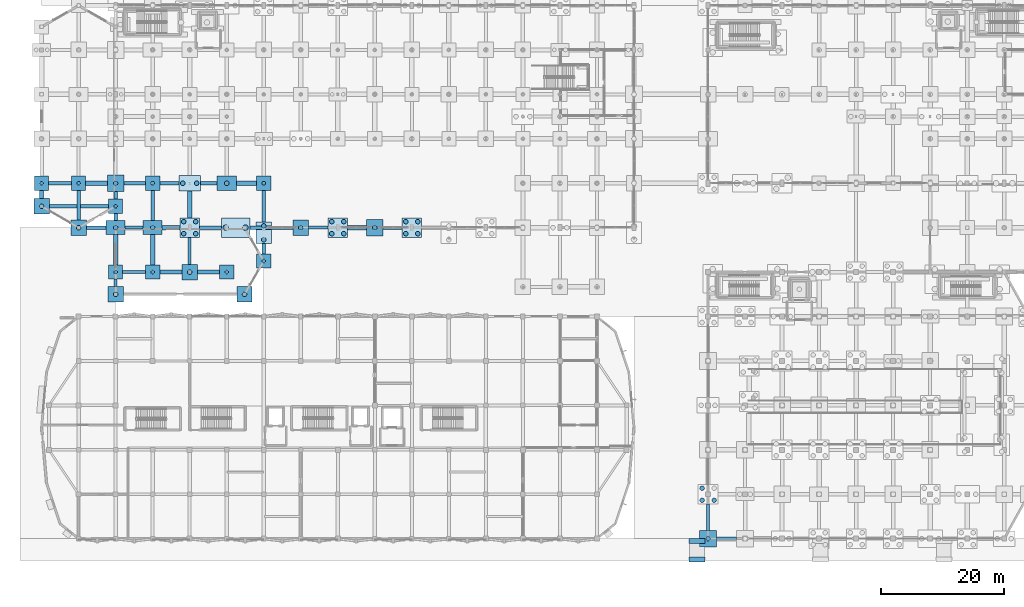
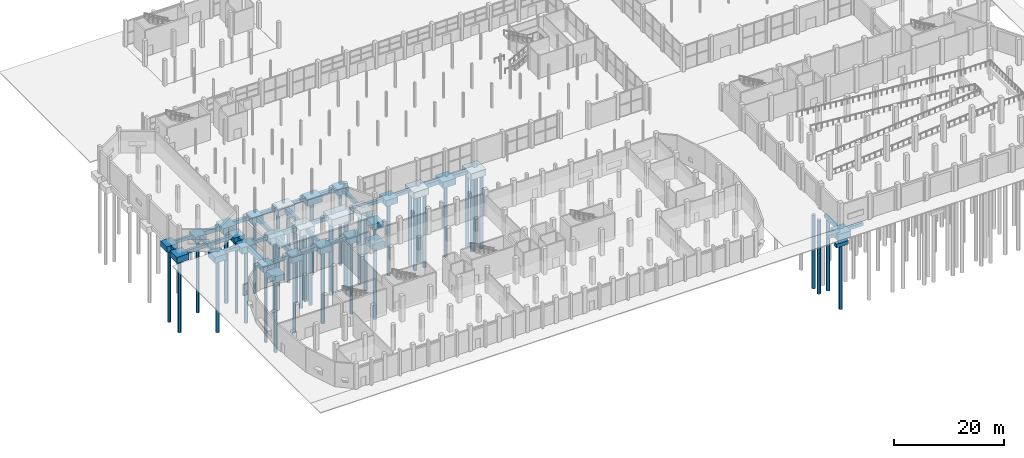
# One storey, part 1 of 103: 61 footings, 42 piles.
"""IFC4 building model written with IfcOpenShell, lengths in metres."""

import ifcopenshell
import ifcopenshell.guid

model = None  # the IFC model being written
_history = None  # IfcOwnerHistory: only IFC2X3 demands one
_inside = {}  # id of a spatial element -> (the spatial element, [elements in it])
_under = {}  # id of a project, library or spatial element -> (it, [spatial elements below it])
_declared = {}  # id of a project -> (the project, [libraries it declares])
_typed = {}  # id of a type object -> (the type object, [elements of that type])
_made_of = {}  # id of a material, layer set ... -> (it, [elements and type objects made of it])


def new_model(schema):
    """Start an empty IFC model of exactly this schema.

    Asked for "IFC4X3", IfcOpenShell would pick the latest addendum, in which some entities
    have other attributes; the version numbers below select the first issue.
    IFC2X3 requires an IfcOwnerHistory on every rooted entity: one is made here for all.
    """
    global model, _history
    if schema == "IFC4X3":
        model = ifcopenshell.file(schema_version=(4, 3, 0, 0))
    else:
        model = ifcopenshell.file(schema=schema)
    _inside.clear()
    _under.clear()
    _declared.clear()
    _typed.clear()
    _made_of.clear()
    _history = None
    if model.schema == "IFC2X3":
        org = make("IfcOrganization", Name="unknown")
        user = make(
            "IfcPersonAndOrganization",
            ThePerson=make("IfcPerson", FamilyName="unknown"),
            TheOrganization=org,
        )
        app = make(
            "IfcApplication",
            ApplicationDeveloper=org,
            Version="unknown",
            ApplicationFullName="unknown",
            ApplicationIdentifier="unknown",
        )
        _history = make(
            "IfcOwnerHistory",
            OwningUser=user,
            OwningApplication=app,
            ChangeAction="ADDED",
            CreationDate=0,
        )
    return model


def make(cls, **values):
    """One entity of the class cls with the attributes given. An attribute that is None is left unset."""
    return model.create_entity(
        cls, **{name: value for name, value in values.items() if value is not None}
    )


def rooted(cls, **values):
    """An entity with a GlobalId (a new one), such as an element, a storey or a relation."""
    return make(cls, GlobalId=ifcopenshell.guid.new(), OwnerHistory=_history, **values)


def si_unit(unit_type, name, prefix=None):
    """IfcSIUnit, for example si_unit("LENGTHUNIT", "METRE", prefix="MILLI")."""
    return make("IfcSIUnit", UnitType=unit_type, Prefix=prefix, Name=name)


def assignment(units):
    """IfcUnitAssignment: the units of a project."""
    return None if units is None else make("IfcUnitAssignment", Units=units)


def point(xyz):
    """IfcCartesianPoint."""
    return None if xyz is None else make("IfcCartesianPoint", Coordinates=xyz)


def direction(xyz):
    """IfcDirection."""
    return None if xyz is None else make("IfcDirection", DirectionRatios=xyz)


def frame(location, z_axis=None, x_axis=None):
    """IfcAxis2Placement3D, a coordinate frame: its origin and axes. An axis left out is left unset."""
    return make(
        "IfcAxis2Placement3D",
        Location=point(location),
        Axis=direction(z_axis),
        RefDirection=direction(x_axis),
    )


def frame_2d(location, x_axis=None):
    """IfcAxis2Placement2D, a coordinate frame in the plane: its origin and x axis."""
    return make(
        "IfcAxis2Placement2D", Location=point(location), RefDirection=direction(x_axis)
    )


def origin():
    """The frame at (0, 0, 0) with its axes left unset."""
    return frame((0.0, 0.0, 0.0))


def origin_2d():
    """The frame at (0, 0) in the plane with its x axis left unset."""
    return frame_2d((0.0, 0.0))


def place(relative_to, where):
    """IfcLocalPlacement: puts the frame where relative to a parent placement (None: the world)."""
    return make(
        "IfcLocalPlacement", PlacementRelTo=relative_to, RelativePlacement=where
    )


def context(
    kind, dimensions, precision=None, world=None, true_north=None, identifier=None
):
    """IfcGeometricRepresentationContext, for example the 3D "Model" context."""
    return make(
        "IfcGeometricRepresentationContext",
        ContextIdentifier=identifier,
        ContextType=kind,
        CoordinateSpaceDimension=dimensions,
        Precision=precision,
        WorldCoordinateSystem=world,
        TrueNorth=true_north,
    )


def subcontext(parent, identifier, kind, view, scale=None):
    """IfcGeometricRepresentationSubContext, for example "Body" below "Model"."""
    return make(
        "IfcGeometricRepresentationSubContext",
        ContextIdentifier=identifier,
        ContextType=kind,
        ParentContext=parent,
        TargetScale=scale,
        TargetView=view,
    )


def project(units=None, contexts=None):
    """IfcProject with its units and contexts."""
    return rooted(
        "IfcProject",
        Name="project",
        RepresentationContexts=contexts,
        UnitsInContext=assignment(units),
    )


def spatial(cls, under=None, at=None, **own):
    """A site, building, storey or space (cls), placed at a placement, below another one or the project."""
    s = rooted(cls, ObjectPlacement=at, **own)
    if under is not None:
        _under.setdefault(under.id(), (under, []))[1].append(s)
    return s


def profile(cls, at=None, kind="AREA", **sizes):
    """A parametric profile (cls). Its sizes go by their IFC names, for example OverallWidth=200.0."""
    return make(cls, ProfileType=kind, Position=at, **sizes)


def rectangle(**sizes):
    """IfcRectangleProfileDef."""
    return profile("IfcRectangleProfileDef", **sizes)


def circle(**sizes):
    """IfcCircleProfileDef."""
    return profile("IfcCircleProfileDef", **sizes)


def extrude(swept, where, along, depth):
    """IfcExtrudedAreaSolid: the profile swept, set in the frame where, extruded along a direction by depth."""
    return make(
        "IfcExtrudedAreaSolid",
        SweptArea=swept,
        Position=where,
        ExtrudedDirection=direction(along),
        Depth=depth,
    )


def shape(context_of_items, identifier, shape_type, items):
    """IfcShapeRepresentation: the items that make up one representation, for example the "Body"."""
    return make(
        "IfcShapeRepresentation",
        ContextOfItems=context_of_items,
        RepresentationIdentifier=identifier,
        RepresentationType=shape_type,
        Items=items,
    )


def material(Name=None, Category=None):
    """IfcMaterial."""
    return make("IfcMaterial", Name=Name, Category=Category)


def material_profile(
    of_material, cross_section, Name=None, Category=None, Priority=None
):
    """IfcMaterialProfile: a cross section and its material."""
    return make(
        "IfcMaterialProfile",
        Name=Name,
        Material=of_material,
        Profile=cross_section,
        Priority=Priority,
        Category=Category,
    )


def profile_set(profiles, Name=None, composite=None):
    """IfcMaterialProfileSet."""
    return make(
        "IfcMaterialProfileSet",
        Name=Name,
        MaterialProfiles=profiles,
        CompositeProfile=composite,
    )


def made_of(thing, what):
    """Note that an element or type object is made of a material, layer set ...; save() writes the relation."""
    if what is not None:
        _made_of.setdefault(what.id(), (what, []))[1].append(thing)
    return thing


def type_object(cls, material=None, **own):
    """A type object (cls), such as IfcWallType, which elements share."""
    return made_of(rooted(cls, **own), material)


def element(
    cls,
    number,
    at=None,
    inside=None,
    cuts=None,
    type_object=None,
    material=None,
    context=None,
    identifier="Body",
    shape_type=None,
    held_by="IfcProductDefinitionShape",
    body=None,
    shapes=None,
    **own,
):
    """One element of the class cls, such as IfcWall. Its Tag is "e" and its number.

    at: its placement. inside: the storey or other place that contains it. cuts: it is an
    opening in that element (IfcRelVoidsElement). A single representation is given by context,
    identifier, shape_type and body (its items); several are given by shapes. held_by: the class
    of the entity that holds the representations. save() writes the other relations.
    """
    e = rooted(cls, Tag="e%d" % number, ObjectPlacement=at, **own)
    if body is not None:
        shapes = [shape(context, identifier, shape_type, body)]
    if shapes is not None:
        e.Representation = make(held_by, Representations=shapes)
    if inside is not None:
        _inside.setdefault(inside.id(), (inside, []))[1].append(e)
    if cuts is not None:
        rooted(
            "IfcRelVoidsElement", RelatingBuildingElement=cuts, RelatedOpeningElement=e
        )
    if type_object is not None:
        _typed.setdefault(type_object.id(), (type_object, []))[1].append(e)
    return made_of(e, material)


def aggregate(whole, parts):
    """IfcRelAggregates: a whole, such as a stair, and the parts it consists of."""
    return rooted("IfcRelAggregates", RelatingObject=whole, RelatedObjects=parts)


def save(model, path):
    """Write the relations noted so far, then the file.

    IfcRelAggregates (storeys below a building ...), IfcRelContainedInSpatialStructure (elements
    in a storey), IfcRelDefinesByType, IfcRelAssociatesMaterial and IfcRelDeclares: one each for
    every whole, place, type object, material and project.
    """
    for whole, parts in _under.values():
        aggregate(whole, parts)
    for where, things in _inside.values():
        rooted(
            "IfcRelContainedInSpatialStructure",
            RelatedElements=things,
            RelatingStructure=where,
        )
    for kind, things in _typed.values():
        rooted("IfcRelDefinesByType", RelatedObjects=things, RelatingType=kind)
    for what, things in _made_of.values():
        rooted("IfcRelAssociatesMaterial", RelatedObjects=things, RelatingMaterial=what)
    for by, libraries in _declared.values():
        rooted("IfcRelDeclares", RelatingContext=by, RelatedDefinitions=libraries)
    model.write(path)


model = new_model("IFC4")

# Units and contexts
model_context = context("Model", 3, precision=1e-05, world=origin(), true_north=direction((0.0, 1.0)))
body_context = subcontext(model_context, "Body", "Model", "MODEL_VIEW")
ifc_project = project(units=[si_unit("LENGTHUNIT", "METRE"), si_unit("AREAUNIT", "SQUARE_METRE"), si_unit("VOLUMEUNIT", "CUBIC_METRE"), si_unit("PLANEANGLEUNIT", "RADIAN"), si_unit("MASSUNIT", "GRAM", prefix="KILO")], contexts=[model_context])

# Site, building, storey
site_placement = place(None, origin())
site = spatial("IfcSite", under=ifc_project, at=site_placement, CompositionType="ELEMENT")
building_placement = place(site_placement, origin())
building = spatial("IfcBuilding", under=site, at=building_placement, Name="Dunvalen Ferry Terminal", CompositionType="ELEMENT")
storey_placement = place(building_placement, origin())
storey = spatial("IfcBuildingStorey", under=building, at=storey_placement, Name="L00", CompositionType="ELEMENT", Elevation=0.0)

# Footings
ifc_material = material(Name="Concrete C40/50", Category="concrete")
ifc_material_profile_1 = material_profile(ifc_material, rectangle(XDim=0.5, YDim=0.699951171875, at=origin_2d()), Name="Concrete C40/50")
ifc_profile_set_1 = profile_set([ifc_material_profile_1], Name="Concrete C40/50")
footing_type_1 = type_object("IfcFootingType", Name="STR-GB-500x700", PredefinedType="FOOTING_BEAM", material=ifc_profile_set_1)
footing_1_placement = place(storey_placement, frame((109.35009765625, 0.0, -0.669921875), z_axis=(1.0, 0.0, 0.0), x_axis=(0.0, 1.0, 0.0)))
element("IfcFooting", 1, at=footing_1_placement, inside=storey, type_object=footing_type_1, Name="L00 Ground Beam X-131", PredefinedType="FOOTING_BEAM", context=body_context, shape_type="SweptSolid", body=[
    extrude(rectangle(XDim=0.5, YDim=0.699951171875, at=origin_2d()), origin(), (0.0, 0.0, 1.0), 3.2998046875),
])
footing_2_placement = place(storey_placement, frame((13.14990234375, 43.199951171875, -0.669921875), z_axis=(1.0, 0.0, 0.0), x_axis=(0.0, 1.0, 0.0)))
element("IfcFooting", 2, at=footing_2_placement, inside=storey, type_object=footing_type_1, Name="L00 Ground Beam X-183", PredefinedType="FOOTING_BEAM", context=body_context, shape_type="SweptSolid", body=[
    extrude(rectangle(XDim=0.5, YDim=0.699951171875, at=origin_2d()), origin(), (0.0, 0.0, 1.0), 3.7001953125),
])
footing_3_placement = place(storey_placement, frame((13.550048828125, 50.39990234375, -0.669921875), z_axis=(1.0, 0.0, 0.0), x_axis=(0.0, 1.0, 0.0)))
element("IfcFooting", 3, at=footing_3_placement, inside=storey, type_object=footing_type_1, Name="L00 Ground Beam X-191", PredefinedType="FOOTING_BEAM", context=body_context, shape_type="SweptSolid", body=[
    extrude(rectangle(XDim=0.5, YDim=0.699951171875, at=origin_2d()), origin(), (0.0, 0.0, 1.0), 2.89990234375),
])
footing_4_placement = place(storey_placement, frame((43.25, 50.39990234375, -0.669921875), z_axis=(1.0, 0.0, 0.0), x_axis=(0.0, 1.0, 0.0)))
element("IfcFooting", 4, at=footing_4_placement, inside=storey, type_object=footing_type_1, Name="L00 Ground Beam X-195", PredefinedType="FOOTING_BEAM", context=body_context, shape_type="SweptSolid", body=[
    extrude(rectangle(XDim=0.5, YDim=0.699951171875, at=origin_2d()), origin(), (0.0, 0.0, 1.0), 3.14990234375),
])
footing_5_placement = place(storey_placement, frame((1.14990234375, 57.60009765625, -0.669921875), z_axis=(1.0, 0.0, 0.0), x_axis=(0.0, 1.0, 0.0)))
element("IfcFooting", 5, at=footing_5_placement, inside=storey, type_object=footing_type_1, Name="L00 Ground Beam X-207", PredefinedType="FOOTING_BEAM", context=body_context, shape_type="SweptSolid", body=[
    extrude(rectangle(XDim=0.5, YDim=0.699951171875, at=origin_2d()), origin(), (0.0, 0.0, 1.0), 3.7001953125),
])
footing_6_placement = place(storey_placement, frame((25.75, 57.60009765625, -0.669921875), z_axis=(1.0, 0.0, 0.0), x_axis=(0.0, 1.0, 0.0)))
element("IfcFooting", 6, at=footing_6_placement, inside=storey, type_object=footing_type_1, Name="L00 Ground Beam X-211", PredefinedType="FOOTING_BEAM", context=body_context, shape_type="SweptSolid", body=[
    extrude(rectangle(XDim=0.5, YDim=0.699951171875, at=origin_2d()), origin(), (0.0, 0.0, 1.0), 2.699951171875),
])
footing_7_placement = place(storey_placement, frame((12.0, 40.85009765625, -0.669921875), z_axis=(0.0, 1.0, 0.0), x_axis=(-1.0, 0.0, 0.0)))
element("IfcFooting", 7, at=footing_7_placement, inside=storey, type_object=footing_type_1, Name="L00 Ground Beam Y-367", PredefinedType="FOOTING_BEAM", context=body_context, shape_type="SweptSolid", body=[
    extrude(rectangle(XDim=0.5, YDim=0.699951171875, at=origin_2d()), origin(), (0.0, 0.0, 1.0), 1.199951171875),
])
footing_8_placement = place(storey_placement, frame((24.0, 44.449951171875, -0.669921875), z_axis=(0.0, 1.0, 0.0), x_axis=(-1.0, 0.0, 0.0)))
element("IfcFooting", 8, at=footing_8_placement, inside=storey, type_object=footing_type_1, Name="L00 Ground Beam Y-383", PredefinedType="FOOTING_BEAM", context=body_context, shape_type="SweptSolid", body=[
    extrude(rectangle(XDim=0.5, YDim=0.699951171875, at=origin_2d()), origin(), (0.0, 0.0, 1.0), 4.35009765625),
])
footing_9_placement = place(storey_placement, frame((108.0, 1.35009765625, -0.669921875), z_axis=(0.0, 1.0, 0.0), x_axis=(-1.0, 0.0, 0.0)))
element("IfcFooting", 9, at=footing_9_placement, inside=storey, type_object=footing_type_1, Name="L00 Ground Beam Y-451", PredefinedType="FOOTING_BEAM", context=body_context, shape_type="SweptSolid", body=[
    extrude(rectangle(XDim=0.5, YDim=0.699951171875, at=origin_2d()), origin(), (0.0, 0.0, 1.0), 4.25),
])
ifc_material_profile_2 = material_profile(ifc_material, rectangle(XDim=0.550048828125, YDim=0.75, at=origin_2d()), Name="Concrete C40/50")
ifc_profile_set_2 = profile_set([ifc_material_profile_2], Name="Concrete C40/50")
footing_type_2 = type_object("IfcFootingType", Name="STR-GB-550x750", PredefinedType="FOOTING_BEAM", material=ifc_profile_set_2)
footing_10_placement = place(storey_placement, frame((7.25, 50.39990234375, -0.695068359375), z_axis=(1.0, 0.0, 0.0), x_axis=(0.0, 1.0, 0.0)))
element("IfcFooting", 10, at=footing_10_placement, inside=storey, type_object=footing_type_2, Name="L00 Ground Beam X-190", PredefinedType="FOOTING_BEAM", context=body_context, shape_type="SweptSolid", body=[
    extrude(rectangle(XDim=0.550048828125, YDim=0.75, at=origin_2d()), origin(), (0.0, 0.0, 1.0), 3.199951171875),
])
footing_11_placement = place(storey_placement, frame((33.740966796875, 50.39990234375, -0.695068359375), z_axis=(1.0, 0.0, 0.0), x_axis=(0.0, 1.0, 0.0)))
element("IfcFooting", 11, at=footing_11_placement, inside=storey, type_object=footing_type_2, Name="L00 Ground Beam X-194", PredefinedType="FOOTING_BEAM", context=body_context, shape_type="SweptSolid", body=[
    extrude(rectangle(XDim=0.550048828125, YDim=0.75, at=origin_2d()), origin(), (0.0, 0.0, 1.0), 7.009033203125),
])
footing_12_placement = place(storey_placement, frame((1.25, 53.864013671875, -0.695068359375), z_axis=(1.0, 0.0, 0.0), x_axis=(0.0, 1.0, 0.0)))
element("IfcFooting", 12, at=footing_12_placement, inside=storey, type_object=footing_type_2, Name="L00 Ground Beam X-206", PredefinedType="FOOTING_BEAM", context=body_context, shape_type="SweptSolid", body=[
    extrude(rectangle(XDim=0.550048828125, YDim=0.75, at=origin_2d()), origin(), (0.0, 0.0, 1.0), 9.60009765625),
])
footing_13_placement = place(storey_placement, frame((19.14990234375, 57.60009765625, -0.695068359375), z_axis=(1.0, 0.0, 0.0), x_axis=(0.0, 1.0, 0.0)))
element("IfcFooting", 13, at=footing_13_placement, inside=storey, type_object=footing_type_2, Name="L00 Ground Beam X-210", PredefinedType="FOOTING_BEAM", context=body_context, shape_type="SweptSolid", body=[
    extrude(rectangle(XDim=0.550048828125, YDim=0.75, at=origin_2d()), origin(), (0.0, 0.0, 1.0), 3.10009765625),
])
footing_14_placement = place(storey_placement, frame((6.0, 51.64990234375, -0.695068359375), z_axis=(0.0, 1.0, 0.0), x_axis=(-1.0, 0.0, 0.0)))
element("IfcFooting", 14, at=footing_14_placement, inside=storey, type_object=footing_type_2, Name="L00 Ground Beam Y-362", PredefinedType="FOOTING_BEAM", context=body_context, shape_type="SweptSolid", body=[
    extrude(rectangle(XDim=0.550048828125, YDim=0.75, at=origin_2d()), origin(), (0.0, 0.0, 1.0), 4.800048828125),
])
footing_15_placement = place(storey_placement, frame((12.0, 55.013916015625, -0.695068359375), z_axis=(0.0, 1.0, 0.0), x_axis=(-1.0, 0.0, 0.0)))
element("IfcFooting", 15, at=footing_15_placement, inside=storey, type_object=footing_type_2, Name="L00 Ground Beam Y-370", PredefinedType="FOOTING_BEAM", context=body_context, shape_type="SweptSolid", body=[
    extrude(rectangle(XDim=0.550048828125, YDim=0.75, at=origin_2d()), origin(), (0.0, 0.0, 1.0), 1.236083984375),
])
footing_16_placement = place(storey_placement, frame((36.0, 51.300048828125, -0.695068359375), z_axis=(0.0, 1.0, 0.0), x_axis=(-1.0, 0.0, 0.0)))
element("IfcFooting", 16, at=footing_16_placement, inside=storey, type_object=footing_type_2, Name="L00 Ground Beam Y-398", PredefinedType="FOOTING_BEAM", context=body_context, shape_type="SweptSolid", body=[
    extrude(rectangle(XDim=0.550048828125, YDim=0.75, at=origin_2d()), origin(), (0.0, 0.0, 1.0), 5.14990234375),
])
ifc_material_profile_3 = material_profile(ifc_material, rectangle(XDim=0.60009765625, YDim=0.800048828125, at=origin_2d()), Name="Concrete C40/50")
ifc_profile_set_3 = profile_set([ifc_material_profile_3], Name="Concrete C40/50")
footing_type_3 = type_object("IfcFootingType", Name="STR-GB-600x800", PredefinedType="FOOTING_BEAM", material=ifc_profile_set_3)
footing_17_placement = place(storey_placement, frame((25.25, 43.199951171875, -0.719970703125), z_axis=(1.0, 0.0, 0.0), x_axis=(0.0, 1.0, 0.0)))
element("IfcFooting", 17, at=footing_17_placement, inside=storey, type_object=footing_type_3, Name="L00 Ground Beam X-185", PredefinedType="FOOTING_BEAM", context=body_context, shape_type="SweptSolid", body=[
    extrude(rectangle(XDim=0.60009765625, YDim=0.800048828125, at=origin_2d()), origin(), (0.0, 0.0, 1.0), 3.60009765625),
])
footing_18_placement = place(storey_placement, frame((25.60009765625, 50.39990234375, -0.719970703125), z_axis=(1.0, 0.0, 0.0), x_axis=(0.0, 1.0, 0.0)))
element("IfcFooting", 18, at=footing_18_placement, inside=storey, type_object=footing_type_3, Name="L00 Ground Beam X-193", PredefinedType="FOOTING_BEAM", context=body_context, shape_type="SweptSolid", body=[
    extrude(rectangle(XDim=0.60009765625, YDim=0.800048828125, at=origin_2d()), origin(), (0.0, 0.0, 1.0), 3.541015625),
])
footing_19_placement = place(storey_placement, frame((55.35009765625, 50.39990234375, -0.719970703125), z_axis=(1.0, 0.0, 0.0), x_axis=(0.0, 1.0, 0.0)))
element("IfcFooting", 19, at=footing_19_placement, inside=storey, type_object=footing_type_3, Name="L00 Ground Beam X-197", PredefinedType="FOOTING_BEAM", context=body_context, shape_type="SweptSolid", body=[
    extrude(rectangle(XDim=0.60009765625, YDim=0.800048828125, at=origin_2d()), origin(), (0.0, 0.0, 1.0), 3.0498046875),
])
footing_20_placement = place(storey_placement, frame((13.35009765625, 57.60009765625, -0.719970703125), z_axis=(1.0, 0.0, 0.0), x_axis=(0.0, 1.0, 0.0)))
element("IfcFooting", 20, at=footing_20_placement, inside=storey, type_object=footing_type_3, Name="L00 Ground Beam X-209", PredefinedType="FOOTING_BEAM", context=body_context, shape_type="SweptSolid", body=[
    extrude(rectangle(XDim=0.60009765625, YDim=0.800048828125, at=origin_2d()), origin(), (0.0, 0.0, 1.0), 3.5),
])
footing_21_placement = place(storey_placement, frame((0.0, 55.114013671875, -0.719970703125), z_axis=(0.0, 1.0, 0.0), x_axis=(-1.0, 0.0, 0.0)))
element("IfcFooting", 21, at=footing_21_placement, inside=storey, type_object=footing_type_3, Name="L00 Ground Beam Y-357", PredefinedType="FOOTING_BEAM", context=body_context, shape_type="SweptSolid", body=[
    extrude(rectangle(XDim=0.60009765625, YDim=0.800048828125, at=origin_2d()), origin(), (0.0, 0.0, 1.0), 1.3359375),
])
footing_22_placement = place(storey_placement, frame((12.0, 51.550048828125, -0.719970703125), z_axis=(0.0, 1.0, 0.0), x_axis=(-1.0, 0.0, 0.0)))
element("IfcFooting", 22, at=footing_22_placement, inside=storey, type_object=footing_type_3, Name="L00 Ground Beam Y-369", PredefinedType="FOOTING_BEAM", context=body_context, shape_type="SweptSolid", body=[
    extrude(rectangle(XDim=0.60009765625, YDim=0.800048828125, at=origin_2d()), origin(), (0.0, 0.0, 1.0), 1.1640625),
])
footing_23_placement = place(storey_placement, frame((18.0, 51.550048828125, -0.719970703125), z_axis=(0.0, 1.0, 0.0), x_axis=(-1.0, 0.0, 0.0)))
element("IfcFooting", 23, at=footing_23_placement, inside=storey, type_object=footing_type_3, Name="L00 Ground Beam Y-377", PredefinedType="FOOTING_BEAM", context=body_context, shape_type="SweptSolid", body=[
    extrude(rectangle(XDim=0.60009765625, YDim=0.800048828125, at=origin_2d()), origin(), (0.0, 0.0, 1.0), 4.89990234375),
])
footing_24_placement = place(storey_placement, frame((36.0, 46.14990234375, -0.719970703125), z_axis=(0.0, 1.0, 0.0), x_axis=(-1.0, 0.0, 0.0)))
element("IfcFooting", 24, at=footing_24_placement, inside=storey, type_object=footing_type_3, Name="L00 Ground Beam Y-397", PredefinedType="FOOTING_BEAM", context=body_context, shape_type="SweptSolid", body=[
    extrude(rectangle(XDim=0.60009765625, YDim=0.800048828125, at=origin_2d()), origin(), (0.0, 0.0, 1.0), 1.650146484375),
])
ifc_material_profile_4 = material_profile(ifc_material, rectangle(XDim=0.699951171875, YDim=0.89990234375, at=origin_2d()), Name="Concrete C40/50")
ifc_profile_set_4 = profile_set([ifc_material_profile_4], Name="Concrete C40/50")
footing_type_4 = type_object("IfcFootingType", Name="STR-GB-700x900", PredefinedType="FOOTING_BEAM", material=ifc_profile_set_4)
footing_25_placement = place(storey_placement, frame((19.14990234375, 43.199951171875, -0.77001953125), z_axis=(1.0, 0.0, 0.0), x_axis=(0.0, 1.0, 0.0)))
element("IfcFooting", 25, at=footing_25_placement, inside=storey, type_object=footing_type_4, Name="L00 Ground Beam X-184", PredefinedType="FOOTING_BEAM", context=body_context, shape_type="SweptSolid", body=[
    extrude(rectangle(XDim=0.699951171875, YDim=0.89990234375, at=origin_2d()), origin(), (0.0, 0.0, 1.0), 3.60009765625),
])
footing_26_placement = place(storey_placement, frame((19.550048828125, 50.39990234375, -0.77001953125), z_axis=(1.0, 0.0, 0.0), x_axis=(0.0, 1.0, 0.0)))
element("IfcFooting", 26, at=footing_26_placement, inside=storey, type_object=footing_type_4, Name="L00 Ground Beam X-192", PredefinedType="FOOTING_BEAM", context=body_context, shape_type="SweptSolid", body=[
    extrude(rectangle(XDim=0.699951171875, YDim=0.89990234375, at=origin_2d()), origin(), (0.0, 0.0, 1.0), 2.849853515625),
])
footing_27_placement = place(storey_placement, frame((49.60009765625, 50.39990234375, -0.77001953125), z_axis=(1.0, 0.0, 0.0), x_axis=(0.0, 1.0, 0.0)))
element("IfcFooting", 27, at=footing_27_placement, inside=storey, type_object=footing_type_4, Name="L00 Ground Beam X-196", PredefinedType="FOOTING_BEAM", context=body_context, shape_type="SweptSolid", body=[
    extrude(rectangle(XDim=0.699951171875, YDim=0.89990234375, at=origin_2d()), origin(), (0.0, 0.0, 1.0), 3.0498046875),
])
footing_28_placement = place(storey_placement, frame((7.14990234375, 57.60009765625, -0.77001953125), z_axis=(1.0, 0.0, 0.0), x_axis=(0.0, 1.0, 0.0)))
element("IfcFooting", 28, at=footing_28_placement, inside=storey, type_object=footing_type_4, Name="L00 Ground Beam X-208", PredefinedType="FOOTING_BEAM", context=body_context, shape_type="SweptSolid", body=[
    extrude(rectangle(XDim=0.699951171875, YDim=0.89990234375, at=origin_2d()), origin(), (0.0, 0.0, 1.0), 3.5),
])
footing_29_placement = place(storey_placement, frame((31.550048828125, 57.60009765625, -0.77001953125), z_axis=(1.0, 0.0, 0.0), x_axis=(0.0, 1.0, 0.0)))
element("IfcFooting", 29, at=footing_29_placement, inside=storey, type_object=footing_type_4, Name="L00 Ground Beam X-212", PredefinedType="FOOTING_BEAM", context=body_context, shape_type="SweptSolid", body=[
    extrude(rectangle(XDim=0.699951171875, YDim=0.89990234375, at=origin_2d()), origin(), (0.0, 0.0, 1.0), 3.300048828125),
])
for number, where, z_axis, x_axis, name in (
    (30, (12.0, 44.35009765625, -0.77001953125), (0.0, 1.0, 0.0), (-1.0, 0.0, 0.0), "L00 Ground Beam Y-368"),
    (31, (18.0, 44.35009765625, -0.77001953125), (0.0, 1.0, 0.0), (-1.0, 0.0, 0.0), "L00 Ground Beam Y-376"),
):
    element("IfcFooting", number, at=place(storey_placement, frame(where, z_axis=z_axis, x_axis=x_axis)), inside=storey, type_object=footing_type_4, Name=name, PredefinedType="FOOTING_BEAM", context=body_context, shape_type="SweptSolid", body=[
        extrude(rectangle(XDim=0.699951171875, YDim=0.89990234375, at=origin_2d()), origin(), (0.0, 0.0, 1.0), 4.89990234375),
    ])
footing_30_placement = place(storey_placement, frame((24.0, 52.0, -0.77001953125), z_axis=(0.0, 1.0, 0.0), x_axis=(-1.0, 0.0, 0.0)))
element("IfcFooting", 32, at=footing_30_placement, inside=storey, type_object=footing_type_4, Name="L00 Ground Beam Y-384", PredefinedType="FOOTING_BEAM", context=body_context, shape_type="SweptSolid", body=[
    extrude(rectangle(XDim=0.699951171875, YDim=0.89990234375, at=origin_2d()), origin(), (0.0, 0.0, 1.0), 4.35009765625),
])
footing_type_5 = type_object("IfcFootingType", Name="STR-PC-04", PredefinedType="PILE_CAP", material=ifc_material)
for number, where, z_axis, x_axis, name in (
    (33, (0.0, 57.60009765625, -1.6201171875), (0.0, 0.0, 1.0), (1.0, 0.0, 0.0), "L00 Pile Cap 002"),
    (34, (6.0, 57.60009765625, -1.6201171875), (0.0, 0.0, 1.0), (1.0, 0.0, 0.0), "L00 Pile Cap 008"),
    (35, (12.0, 43.199951171875, -1.6201171875), (0.0, 0.0, 1.0), (1.0, 0.0, 0.0), "L00 Pile Cap 014"),
    (36, (12.0, 53.864013671875, -1.6201171875), (0.0, 0.0, 1.0), (1.0, 0.0, 0.0), "L00 Pile Cap 016"),
    (37, (18.0, 43.199951171875, -1.6201171875), (0.0, 0.0, 1.0), (1.0, 0.0, 0.0), "L00 Pile Cap 024"),
    (38, (18.0, 57.60009765625, -1.6201171875), (0.0, 0.0, 1.0), (1.0, 0.0, 0.0), "L00 Pile Cap 026"),
    (39, (30.0, 43.199951171875, -1.6201171875), (0.0, 0.0, 1.0), (1.0, 0.0, 0.0), "L00 Pile Cap 045"),
    (40, (36.0, 45.0, -1.6201171875), (0.0, 0.0, 1.0), (1.0, 0.0, 0.0), "L00 Pile Cap 058"),
    (41, (36.0, 57.60009765625, -1.6201171875), (0.0, 0.0, 1.0), (1.0, 0.0, 0.0), "L00 Pile Cap 060"),
):
    element("IfcFooting", number, at=place(storey_placement, frame(where, z_axis=z_axis, x_axis=x_axis)), inside=storey, type_object=footing_type_5, Name=name, PredefinedType="PILE_CAP", context=body_context, shape_type="SweptSolid", body=[
        extrude(rectangle(XDim=2.300048828125, YDim=2.300048828125, at=origin_2d()), origin(), (0.0, 0.0, 1.0), 1.300048828125),
    ])
footing_type_6 = type_object("IfcFootingType", Name="STR-PC-05", PredefinedType="PILE_CAP", material=ifc_material)
for number, where, z_axis, x_axis, name in (
    (42, (0.0, 53.864013671875, -1.670166015625), (0.0, 0.0, 1.0), (1.0, 0.0, 0.0), "L00 Pile Cap 001"),
    (43, (6.0, 50.39990234375, -1.670166015625), (0.0, 0.0, 1.0), (1.0, 0.0, 0.0), "L00 Pile Cap 007"),
    (44, (12.0, 39.60009765625, -1.670166015625), (0.0, 0.0, 1.0), (1.0, 0.0, 0.0), "L00 Pile Cap 013"),
    (45, (24.0, 43.199951171875, -1.670166015625), (0.0, 0.0, 1.0), (1.0, 0.0, 0.0), "L00 Pile Cap 033"),
    (46, (32.882080078125, 39.60009765625, -1.670166015625), (0.0, 0.0, 1.0), (1.0, 0.0, 0.0), "L00 Pile Cap 056"),
    (47, (42.0, 50.39990234375, -1.670166015625), (0.0, 0.0, 1.0), (1.0, 0.0, 0.0), "L00 Pile Cap 069"),
):
    element("IfcFooting", number, at=place(storey_placement, frame(where, z_axis=z_axis, x_axis=x_axis)), inside=storey, type_object=footing_type_6, Name=name, PredefinedType="PILE_CAP", context=body_context, shape_type="SweptSolid", body=[
        extrude(rectangle(XDim=2.5, YDim=2.5, at=origin_2d()), origin(), (0.0, 0.0, 1.0), 1.35009765625),
    ])
footing_type_7 = type_object("IfcFootingType", Name="STR-PC-06", PredefinedType="PILE_CAP", material=ifc_material)
for number, where, z_axis, x_axis, name in (
    (48, (12.0, 57.60009765625, -1.719970703125), (0.0, 0.0, 1.0), (1.0, 0.0, 0.0), "L00 Pile Cap 017"),
    (49, (54.0, 50.39990234375, -1.719970703125), (0.0, 0.0, 1.0), (1.0, 0.0, 0.0), "L00 Pile Cap 085"),
    (50, (108.0, 0.0, -1.719970703125), (0.0, 0.0, 1.0), (1.0, 0.0, 0.0), "L00 Pile Cap 136"),
):
    element("IfcFooting", number, at=place(storey_placement, frame(where, z_axis=z_axis, x_axis=x_axis)), inside=storey, type_object=footing_type_7, Name=name, PredefinedType="PILE_CAP", context=body_context, shape_type="SweptSolid", body=[
        extrude(rectangle(XDim=2.699951171875, YDim=2.699951171875, at=origin_2d()), origin(), (0.0, 0.0, 1.0), 1.39990234375),
    ])
footing_type_8 = type_object("IfcFootingType", Name="STR-PC-08", PredefinedType="PILE_CAP", material=ifc_material)
for number, where, z_axis, x_axis, name in (
    (51, (12.0, 50.39990234375, -1.719970703125), (0.0, 0.0, 1.0), (1.0, 0.0, 0.0), "L00 Pile Cap 015"),
    (52, (18.0, 50.39990234375, -1.719970703125), (0.0, 0.0, 1.0), (1.0, 0.0, 0.0), "L00 Pile Cap 025"),
    (53, (30.0, 57.60009765625, -1.719970703125), (0.0, 0.0, 1.0), (1.0, 0.0, 0.0), "L00 Pile Cap 047"),
):
    element("IfcFooting", number, at=place(storey_placement, frame(where, z_axis=z_axis, x_axis=x_axis)), inside=storey, type_object=footing_type_8, Name=name, PredefinedType="PILE_CAP", context=body_context, shape_type="SweptSolid", body=[
        extrude(rectangle(XDim=3.10009765625, YDim=2.300048828125, at=origin_2d()), origin(), (0.0, 0.0, 1.0), 1.39990234375),
    ])
footing_type_9 = type_object("IfcFootingType", Name="STR-PC-09", PredefinedType="PILE_CAP", material=ifc_material)
for number, where, z_axis, x_axis, name in (
    (54, (24.0, 50.39990234375, -1.77001953125), (0.0, 0.0, 1.0), (1.0, 0.0, 0.0), "L00 Pile Cap 034"),
    (55, (48.0, 50.39990234375, -1.77001953125), (0.0, 0.0, 1.0), (1.0, 0.0, 0.0), "L00 Pile Cap 078"),
    (56, (60.0, 50.39990234375, -1.77001953125), (0.0, 0.0, 1.0), (1.0, 0.0, 0.0), "L00 Pile Cap 090"),
):
    element("IfcFooting", number, at=place(storey_placement, frame(where, z_axis=z_axis, x_axis=x_axis)), inside=storey, type_object=footing_type_9, Name=name, PredefinedType="PILE_CAP", context=body_context, shape_type="SweptSolid", body=[
        extrude(rectangle(XDim=3.199951171875, YDim=3.199951171875, at=origin_2d()), origin(), (0.0, 0.0, 1.0), 1.449951171875),
    ])
footing_type_10 = type_object("IfcFootingType", Name="STR-PC-10", PredefinedType="PILE_CAP", material=ifc_material)
for number, where, z_axis, x_axis, name in (
    (57, (24.0, 57.60009765625, -1.77001953125), (0.0, 0.0, 1.0), (1.0, 0.0, 0.0), "L00 Pile Cap 035"),
    (58, (36.0, 49.550048828125, -1.77001953125), (0.0, 0.0, 1.0), (0.0, 1.0, 0.0), "L00 Pile Cap 059"),
):
    element("IfcFooting", number, at=place(storey_placement, frame(where, z_axis=z_axis, x_axis=x_axis)), inside=storey, type_object=footing_type_10, Name=name, PredefinedType="PILE_CAP", context=body_context, shape_type="SweptSolid", body=[
        extrude(rectangle(XDim=3.5, YDim=2.5, at=origin_2d()), origin(), (0.0, 0.0, 1.0), 1.449951171875),
    ])
footing_type_11 = type_object("IfcFootingType", Name="STR-PC-14", PredefinedType="PILE_CAP", material=ifc_material)
footing_31_placement = place(storey_placement, frame((31.44091796875, 50.39990234375, -1.8701171875), z_axis=(0.0, 0.0, 1.0), x_axis=(1.0, 0.0, 0.0)))
element("IfcFooting", 59, at=footing_31_placement, inside=storey, type_object=footing_type_11, Name="L00 Pile Cap 046", PredefinedType="PILE_CAP", context=body_context, shape_type="SweptSolid", body=[
    extrude(rectangle(XDim=4.60009765625, YDim=3.199951171875, at=origin_2d()), origin(), (0.0, 0.0, 1.0), 1.550048828125),
])

# Piles
ifc_material_profile_5 = material_profile(ifc_material, circle(Radius=0.300048828125, at=origin_2d()), Name="Concrete C40/50")
ifc_profile_set_5 = profile_set([ifc_material_profile_5], Name="Concrete C40/50")
pile_type_1 = type_object("IfcPileType", Name="STR-PILE-P600", PredefinedType="BORED", material=ifc_profile_set_5)
for number, where, z_axis, x_axis, name in (
    (60, (0.0, 57.60009765625, -1.52001953125), (0.0, 0.0, -1.0), (1.0, 0.0, 0.0), "L00 Bored Pile 002.1"),
    (61, (6.0, 57.60009765625, -1.52001953125), (0.0, 0.0, -1.0), (1.0, 0.0, 0.0), "L00 Bored Pile 008.1"),
    (62, (12.0, 43.199951171875, -1.52001953125), (0.0, 0.0, -1.0), (1.0, 0.0, 0.0), "L00 Bored Pile 014.1"),
    (63, (12.0, 53.864013671875, -1.52001953125), (0.0, 0.0, -1.0), (1.0, 0.0, 0.0), "L00 Bored Pile 016.1"),
    (64, (18.0, 43.199951171875, -1.52001953125), (0.0, 0.0, -1.0), (1.0, 0.0, 0.0), "L00 Bored Pile 024.1"),
    (65, (18.0, 57.60009765625, -1.52001953125), (0.0, 0.0, -1.0), (1.0, 0.0, 0.0), "L00 Bored Pile 026.1"),
    (66, (30.0, 43.199951171875, -1.52001953125), (0.0, 0.0, -1.0), (1.0, 0.0, 0.0), "L00 Bored Pile 045.1"),
    (67, (36.0, 45.0, -1.52001953125), (0.0, 0.0, -1.0), (1.0, 0.0, 0.0), "L00 Bored Pile 058.1"),
    (68, (36.0, 57.60009765625, -1.52001953125), (0.0, 0.0, -1.0), (1.0, 0.0, 0.0), "L00 Bored Pile 060.1"),
):
    element("IfcPile", number, at=place(storey_placement, frame(where, z_axis=z_axis, x_axis=x_axis)), inside=storey, type_object=pile_type_1, Name=name, PredefinedType="BORED", context=body_context, shape_type="SweptSolid", body=[
        extrude(circle(Radius=0.300048828125, at=origin_2d()), origin(), (0.0, 0.0, 1.0), 16.47998046875),
    ])
ifc_material_profile_6 = material_profile(ifc_material, circle(Radius=0.375, at=origin_2d()), Name="Concrete C40/50")
ifc_profile_set_6 = profile_set([ifc_material_profile_6], Name="Concrete C40/50")
pile_type_2 = type_object("IfcPileType", Name="STR-PILE-P750", PredefinedType="BORED", material=ifc_profile_set_6)
for number, where, z_axis, x_axis, name in (
    (69, (0.0, 53.864013671875, -1.570068359375), (0.0, 0.0, -1.0), (1.0, 0.0, 0.0), "L00 Bored Pile 001.1"),
    (70, (6.0, 50.39990234375, -1.570068359375), (0.0, 0.0, -1.0), (1.0, 0.0, 0.0), "L00 Bored Pile 007.1"),
    (71, (12.0, 39.60009765625, -1.570068359375), (0.0, 0.0, -1.0), (1.0, 0.0, 0.0), "L00 Bored Pile 013.1"),
):
    element("IfcPile", number, at=place(storey_placement, frame(where, z_axis=z_axis, x_axis=x_axis)), inside=storey, type_object=pile_type_2, Name=name, PredefinedType="BORED", context=body_context, shape_type="SweptSolid", body=[
        extrude(circle(Radius=0.375, at=origin_2d()), origin(), (0.0, 0.0, 1.0), 16.429931640625),
    ])
for number, where, z_axis, x_axis, name in (
    (72, (12.0, 50.39990234375, -1.6201171875), (0.0, 0.0, -1.0), (1.0, 0.0, 0.0), "L00 Bored Pile 015.1"),
    (73, (12.0, 57.60009765625, -1.6201171875), (0.0, 0.0, -1.0), (1.0, 0.0, 0.0), "L00 Bored Pile 017.1"),
    (74, (18.0, 50.39990234375, -1.6201171875), (0.0, 0.0, -1.0), (1.0, 0.0, 0.0), "L00 Bored Pile 025.1"),
):
    element("IfcPile", number, at=place(storey_placement, frame(where, z_axis=z_axis, x_axis=x_axis)), inside=storey, type_object=pile_type_2, Name=name, PredefinedType="BORED", context=body_context, shape_type="SweptSolid", body=[
        extrude(circle(Radius=0.375, at=origin_2d()), origin(), (0.0, 0.0, 1.0), 16.3798828125),
    ])
pile_1_placement = place(storey_placement, frame((24.0, 43.199951171875, -1.570068359375), z_axis=(0.0, 0.0, -1.0), x_axis=(1.0, 0.0, 0.0)))
element("IfcPile", 75, at=pile_1_placement, inside=storey, type_object=pile_type_2, Name="L00 Bored Pile 033.1", PredefinedType="BORED", context=body_context, shape_type="SweptSolid", body=[
    extrude(circle(Radius=0.375, at=origin_2d()), origin(), (0.0, 0.0, 1.0), 16.429931640625),
])
for number, where, z_axis, x_axis, name in (
    (76, (23.02490234375, 49.425048828125, -1.669921875), (0.0, 0.0, -1.0), (1.0, 0.0, 0.0), "L00 Bored Pile 034.1"),
    (77, (24.97509765625, 49.425048828125, -1.669921875), (0.0, 0.0, -1.0), (1.0, 0.0, 0.0), "L00 Bored Pile 034.2"),
    (78, (23.02490234375, 51.375, -1.669921875), (0.0, 0.0, -1.0), (1.0, 0.0, 0.0), "L00 Bored Pile 034.3"),
    (79, (24.97509765625, 51.375, -1.669921875), (0.0, 0.0, -1.0), (1.0, 0.0, 0.0), "L00 Bored Pile 034.4"),
    (80, (22.875, 57.60009765625, -1.669921875), (0.0, 0.0, -1.0), (1.0, 0.0, 0.0), "L00 Bored Pile 035.1"),
    (81, (25.125, 57.60009765625, -1.669921875), (0.0, 0.0, -1.0), (1.0, 0.0, 0.0), "L00 Bored Pile 035.2"),
):
    element("IfcPile", number, at=place(storey_placement, frame(where, z_axis=z_axis, x_axis=x_axis)), inside=storey, type_object=pile_type_2, Name=name, PredefinedType="BORED", context=body_context, shape_type="SweptSolid", body=[
        extrude(circle(Radius=0.375, at=origin_2d()), origin(), (0.0, 0.0, 1.0), 16.330078125),
    ])
pile_2_placement = place(storey_placement, frame((30.0, 57.60009765625, -1.6201171875), z_axis=(0.0, 0.0, -1.0), x_axis=(1.0, 0.0, 0.0)))
element("IfcPile", 82, at=pile_2_placement, inside=storey, type_object=pile_type_2, Name="L00 Bored Pile 047.1", PredefinedType="BORED", context=body_context, shape_type="SweptSolid", body=[
    extrude(circle(Radius=0.375, at=origin_2d()), origin(), (0.0, 0.0, 1.0), 16.3798828125),
])
pile_3_placement = place(storey_placement, frame((32.882080078125, 39.60009765625, -1.570068359375), z_axis=(0.0, 0.0, -1.0), x_axis=(1.0, 0.0, 0.0)))
element("IfcPile", 83, at=pile_3_placement, inside=storey, type_object=pile_type_2, Name="L00 Bored Pile 056.1", PredefinedType="BORED", context=body_context, shape_type="SweptSolid", body=[
    extrude(circle(Radius=0.375, at=origin_2d()), origin(), (0.0, 0.0, 1.0), 16.429931640625),
])
for number, where, z_axis, x_axis, name in (
    (84, (36.0, 48.425048828125, -1.669921875), (0.0, 0.0, -1.0), (1.0, 0.0, 0.0), "L00 Bored Pile 059.1"),
    (85, (36.0, 50.675048828125, -1.669921875), (0.0, 0.0, -1.0), (1.0, 0.0, 0.0), "L00 Bored Pile 059.2"),
):
    element("IfcPile", number, at=place(storey_placement, frame(where, z_axis=z_axis, x_axis=x_axis)), inside=storey, type_object=pile_type_2, Name=name, PredefinedType="BORED", context=body_context, shape_type="SweptSolid", body=[
        extrude(circle(Radius=0.375, at=origin_2d()), origin(), (0.0, 0.0, 1.0), 16.330078125),
    ])
pile_4_placement = place(storey_placement, frame((42.0, 50.39990234375, -1.570068359375), z_axis=(0.0, 0.0, -1.0), x_axis=(1.0, 0.0, 0.0)))
element("IfcPile", 86, at=pile_4_placement, inside=storey, type_object=pile_type_2, Name="L00 Bored Pile 069.1", PredefinedType="BORED", context=body_context, shape_type="SweptSolid", body=[
    extrude(circle(Radius=0.375, at=origin_2d()), origin(), (0.0, 0.0, 1.0), 16.429931640625),
])
for number, where, z_axis, x_axis, name in (
    (87, (47.02490234375, 49.425048828125, -1.669921875), (0.0, 0.0, -1.0), (1.0, 0.0, 0.0), "L00 Bored Pile 078.1"),
    (88, (48.97509765625, 49.425048828125, -1.669921875), (0.0, 0.0, -1.0), (1.0, 0.0, 0.0), "L00 Bored Pile 078.2"),
    (89, (47.02490234375, 51.375, -1.669921875), (0.0, 0.0, -1.0), (1.0, 0.0, 0.0), "L00 Bored Pile 078.3"),
    (90, (48.97509765625, 51.375, -1.669921875), (0.0, 0.0, -1.0), (1.0, 0.0, 0.0), "L00 Bored Pile 078.4"),
):
    element("IfcPile", number, at=place(storey_placement, frame(where, z_axis=z_axis, x_axis=x_axis)), inside=storey, type_object=pile_type_2, Name=name, PredefinedType="BORED", context=body_context, shape_type="SweptSolid", body=[
        extrude(circle(Radius=0.375, at=origin_2d()), origin(), (0.0, 0.0, 1.0), 16.330078125),
    ])
pile_5_placement = place(storey_placement, frame((54.0, 50.39990234375, -1.6201171875), z_axis=(0.0, 0.0, -1.0), x_axis=(1.0, 0.0, 0.0)))
element("IfcPile", 91, at=pile_5_placement, inside=storey, type_object=pile_type_2, Name="L00 Bored Pile 085.1", PredefinedType="BORED", context=body_context, shape_type="SweptSolid", body=[
    extrude(circle(Radius=0.375, at=origin_2d()), origin(), (0.0, 0.0, 1.0), 16.3798828125),
])
for number, where, z_axis, x_axis, name in (
    (92, (59.02490234375, 49.425048828125, -1.669921875), (0.0, 0.0, -1.0), (1.0, 0.0, 0.0), "L00 Bored Pile 090.1"),
    (93, (60.97509765625, 49.425048828125, -1.669921875), (0.0, 0.0, -1.0), (1.0, 0.0, 0.0), "L00 Bored Pile 090.2"),
    (94, (59.02490234375, 51.375, -1.669921875), (0.0, 0.0, -1.0), (1.0, 0.0, 0.0), "L00 Bored Pile 090.3"),
    (95, (60.97509765625, 51.375, -1.669921875), (0.0, 0.0, -1.0), (1.0, 0.0, 0.0), "L00 Bored Pile 090.4"),
):
    element("IfcPile", number, at=place(storey_placement, frame(where, z_axis=z_axis, x_axis=x_axis)), inside=storey, type_object=pile_type_2, Name=name, PredefinedType="BORED", context=body_context, shape_type="SweptSolid", body=[
        extrude(circle(Radius=0.375, at=origin_2d()), origin(), (0.0, 0.0, 1.0), 16.330078125),
    ])
pile_6_placement = place(storey_placement, frame((108.0, 0.0, -1.6201171875), z_axis=(0.0, 0.0, -1.0), x_axis=(1.0, 0.0, 0.0)))
element("IfcPile", 96, at=pile_6_placement, inside=storey, type_object=pile_type_2, Name="L00 Bored Pile 136.1", PredefinedType="BORED", context=body_context, shape_type="SweptSolid", body=[
    extrude(circle(Radius=0.375, at=origin_2d()), origin(), (0.0, 0.0, 1.0), 16.3798828125),
])
for number, where, z_axis, x_axis, name in (
    (97, (107.02490234375, 6.22509765625, -1.669921875), (0.0, 0.0, -1.0), (1.0, 0.0, 0.0), "L00 Bored Pile 137.1"),
    (98, (108.97509765625, 6.22509765625, -1.669921875), (0.0, 0.0, -1.0), (1.0, 0.0, 0.0), "L00 Bored Pile 137.2"),
    (99, (107.02490234375, 8.175048828125, -1.669921875), (0.0, 0.0, -1.0), (1.0, 0.0, 0.0), "L00 Bored Pile 137.3"),
):
    element("IfcPile", number, at=place(storey_placement, frame(where, z_axis=z_axis, x_axis=x_axis)), inside=storey, type_object=pile_type_2, Name=name, PredefinedType="BORED", context=body_context, shape_type="SweptSolid", body=[
        extrude(circle(Radius=0.375, at=origin_2d()), origin(), (0.0, 0.0, 1.0), 16.330078125),
    ])
ifc_material_profile_7 = material_profile(ifc_material, circle(Radius=0.449951171875, at=origin_2d()), Name="Concrete C40/50")
ifc_profile_set_7 = profile_set([ifc_material_profile_7], Name="Concrete C40/50")
pile_type_3 = type_object("IfcPileType", Name="STR-PILE-P900", PredefinedType="BORED", material=ifc_profile_set_7)
for number, where, z_axis, x_axis, name in (
    (100, (29.841064453125, 50.39990234375, -1.77001953125), (0.0, 0.0, -1.0), (1.0, 0.0, 0.0), "L00 Bored Pile 046.1"),
    (101, (33.041015625, 50.39990234375, -1.77001953125), (0.0, 0.0, -1.0), (1.0, 0.0, 0.0), "L00 Bored Pile 046.2"),
):
    element("IfcPile", number, at=place(storey_placement, frame(where, z_axis=z_axis, x_axis=x_axis)), inside=storey, type_object=pile_type_3, Name=name, PredefinedType="BORED", context=body_context, shape_type="SweptSolid", body=[
        extrude(circle(Radius=0.449951171875, at=origin_2d()), origin(), (0.0, 0.0, 1.0), 16.22998046875),
    ])

# Footings
ifc_material_profile_8 = material_profile(ifc_material, rectangle(XDim=0.800048828125, YDim=0.800048828125, at=origin_2d()), Name="Concrete C40/50")
ifc_profile_set_8 = profile_set([ifc_material_profile_8], Name="Concrete C40/50")
footing_type_12 = type_object("IfcFootingType", Name="STR-SF-800x800", PredefinedType="STRIP_FOOTING", material=ifc_profile_set_8)
for number, where, z_axis, x_axis, name in (
    (102, (104.89990234375, -3.39990234375, -0.77001953125), (1.0, 0.0, 0.0), (0.0, 1.0, 0.0), "Accessible Ramp AR-01 Lower Strip Footing"),
    (103, (104.89990234375, -0.39990234375, -0.6201171875), (1.0, 0.0, 0.0), (0.0, 1.0, 0.0), "Accessible Ramp AR-01 Upper Strip Footing"),
):
    element("IfcFooting", number, at=place(storey_placement, frame(where, z_axis=z_axis, x_axis=x_axis)), inside=storey, type_object=footing_type_12, Name=name, PredefinedType="STRIP_FOOTING", context=body_context, shape_type="SweptSolid", body=[
        extrude(rectangle(XDim=0.800048828125, YDim=0.800048828125, at=origin_2d()), origin(), (0.0, 0.0, 1.0), 2.60009765625),
    ])

save(model, "model.ifc")
